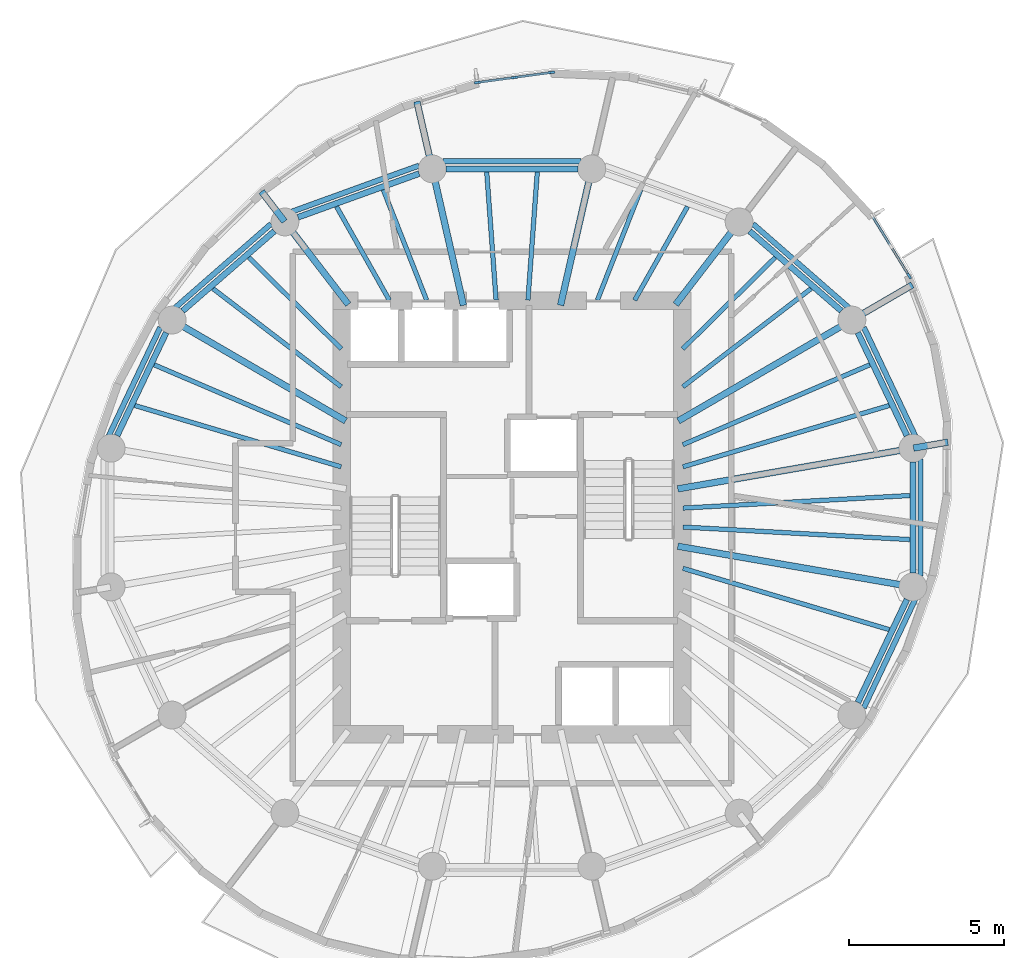
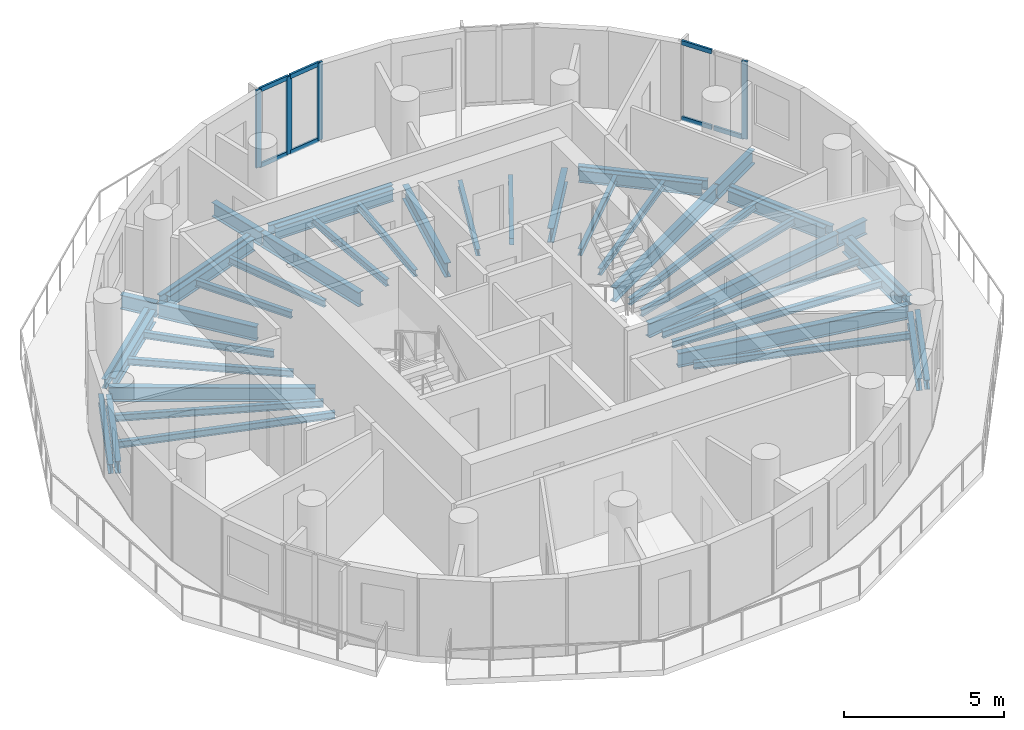
# One storey, part 2 of 10: 45 beams, 11 members, 2 elements without a shape of their own.
"""IFC4 building model written with IfcOpenShell, lengths in metres."""

from ifc_helpers import new_model, si_unit, direction, frame, origin, origin_2d, place, context, subcontext, project, spatial, rectangle, i_section, extrude, material, material_profile, profile_set, type_object, element, aggregate, save


model = new_model("IFC4")

# Units and contexts
model_context = context("Model", 3, precision=1e-05, world=origin(), true_north=direction((0.0, 1.0)))
body_context = subcontext(model_context, "Body", "Model", "MODEL_VIEW")
ifc_project = project(units=[si_unit("LENGTHUNIT", "METRE"), si_unit("AREAUNIT", "SQUARE_METRE"), si_unit("VOLUMEUNIT", "CUBIC_METRE"), si_unit("PLANEANGLEUNIT", "RADIAN"), si_unit("MASSUNIT", "GRAM", prefix="KILO")], contexts=[model_context])

# Site, building, storey
site_placement = place(None, origin())
site = spatial("IfcSite", under=ifc_project, at=site_placement, CompositionType="ELEMENT")
building_placement = place(site_placement, origin())
building = spatial("IfcBuilding", under=site, at=building_placement, Name="Veldorim Arch Residences", CompositionType="ELEMENT")
storey_placement = place(building_placement, frame((0.0, 0.0, 195.0400390625)))
storey = spatial("IfcBuildingStorey", under=building, at=storey_placement, Name="L58", CompositionType="ELEMENT", Elevation=195.0400390625)

# Beams
ifc_material_1 = material(Name="Steel S355", Category="steel")
ifc_material_profile_1 = material_profile(ifc_material_1, i_section(OverallWidth=0.2119140625, OverallDepth=0.54443359375, WebThickness=0.0126953125, FlangeThickness=0.021240234375, at=origin_2d()), Name="UB533x210x122")
ifc_profile_set_1 = profile_set([ifc_material_profile_1], Name="Steel S355")
beam_type_1 = type_object("IfcBeamType", Name="Structural Steel Beam UB533x210x122", PredefinedType="BEAM", material=ifc_profile_set_1)
beam_1_placement = place(storey_placement, frame((37.352294921875, 24.92578125, -0.512451171875), z_axis=(0.985364974081, 0.170457818401, 0.0), x_axis=(-0.170457818401, 0.985364974081, 0.0)))
element("IfcBeam", 1, at=beam_1_placement, inside=storey, type_object=beam_type_1, Name="L58 radial floor girder 01", PredefinedType="BEAM", context=body_context, shape_type="SweptSolid", body=[
    extrude(i_section(OverallWidth=0.2119140625, OverallDepth=0.54443359375, WebThickness=0.0126953125, FlangeThickness=0.021240234375, at=origin_2d()), origin(), (0.0, 0.0, 1.0), 7.68701171875),
])
beam_2_placement = place(storey_placement, frame((44.966064453125, 26.242919921875, -0.512451171875), z_axis=(0.985354711989, 0.170517129816, 0.0), x_axis=(-0.170517129816, 0.985354711989, 0.0)))
element("IfcBeam", 2, at=beam_2_placement, inside=storey, type_object=beam_type_1, Name="L58 radial edge cantilever girder 01", PredefinedType="BEAM", context=body_context, shape_type="SweptSolid", body=[
    extrude(i_section(OverallWidth=0.2119140625, OverallDepth=0.54443359375, WebThickness=0.0126953125, FlangeThickness=0.021240234375, at=origin_2d()), origin(), (0.0, 0.0, 1.0), 1.12548828125),
])
beam_3_placement = place(storey_placement, frame((37.370361328125, 27.12060546875, -0.512451171875), z_axis=(0.864595736304, 0.502468121142, 0.0), x_axis=(-0.502468121142, 0.864595736304, 0.0)))
element("IfcBeam", 3, at=beam_3_placement, inside=storey, type_object=beam_type_1, Name="L58 radial floor girder 02", PredefinedType="BEAM", context=body_context, shape_type="SweptSolid", body=[
    extrude(i_section(OverallWidth=0.2119140625, OverallDepth=0.54443359375, WebThickness=0.0126953125, FlangeThickness=0.021240234375, at=origin_2d()), origin(), (0.0, 0.0, 1.0), 6.462646484375),
])
beam_4_placement = place(storey_placement, frame((42.99267578125, 30.387939453125, -0.512451171875), z_axis=(0.86461626896, 0.502432788988, 0.0), x_axis=(-0.502432788988, 0.86461626896, 0.0)))
element("IfcBeam", 4, at=beam_4_placement, inside=storey, type_object=beam_type_1, Name="L58 radial edge cantilever girder 02", PredefinedType="BEAM", context=body_context, shape_type="SweptSolid", body=[
    extrude(i_section(OverallWidth=0.2119140625, OverallDepth=0.54443359375, WebThickness=0.0126953125, FlangeThickness=0.021240234375, at=origin_2d()), origin(), (0.0, 0.0, 1.0), 2.238525390625),
])
beam_5_placement = place(storey_placement, frame((37.28662109375, 30.881103515625, -0.512451171875), z_axis=(0.609258442308, 0.792971721108, 0.0), x_axis=(-0.792971721108, 0.609258442308, 0.0)))
element("IfcBeam", 5, at=beam_5_placement, inside=storey, type_object=beam_type_1, Name="L58 radial floor girder 03", PredefinedType="BEAM", context=body_context, shape_type="SweptSolid", body=[
    extrude(i_section(OverallWidth=0.2119140625, OverallDepth=0.54443359375, WebThickness=0.0126953125, FlangeThickness=0.021240234375, at=origin_2d()), origin(), (0.0, 0.0, 1.0), 3.339599609375),
])
for number, where, z_axis, x_axis, name in (
    (6, (33.567626953125, 30.853759765625, -0.512451171875), (0.222952976993, 0.97482920045, 0.0), (-0.97482920045, 0.222952976993, 0.0), "L58 radial floor girder 04"),
    (7, (30.432373046875, 30.853759765625, -0.512451171875), (-0.222952976993, 0.97482920045, 0.0), (-0.97482920045, -0.222952976993, 0.0), "L58 radial floor girder 05"),
):
    element("IfcBeam", number, at=place(storey_placement, frame(where, z_axis=z_axis, x_axis=x_axis)), inside=storey, type_object=beam_type_1, Name=name, PredefinedType="BEAM", context=body_context, shape_type="SweptSolid", body=[
        extrude(i_section(OverallWidth=0.2119140625, OverallDepth=0.54443359375, WebThickness=0.0126953125, FlangeThickness=0.021240234375, at=origin_2d()), origin(), (0.0, 0.0, 1.0), 4.49951171875),
    ])
beam_6_placement = place(storey_placement, frame((29.42041015625, 35.27880859375, -0.512451171875), z_axis=(-0.223010839713, 0.974815964872, 0.0), x_axis=(-0.974815964872, -0.223010839713, 0.0)))
element("IfcBeam", 8, at=beam_6_placement, inside=storey, type_object=beam_type_1, Name="L58 radial edge cantilever girder 05", PredefinedType="BEAM", context=body_context, shape_type="SweptSolid", body=[
    extrude(i_section(OverallWidth=0.2119140625, OverallDepth=0.54443359375, WebThickness=0.0126953125, FlangeThickness=0.021240234375, at=origin_2d()), origin(), (0.0, 0.0, 1.0), 2.209228515625),
])
beam_7_placement = place(storey_placement, frame((26.71337890625, 30.881103515625, -0.512451171875), z_axis=(-0.609258442308, 0.792971721108, 0.0), x_axis=(-0.792971721108, -0.609258442308, 0.0)))
element("IfcBeam", 9, at=beam_7_placement, inside=storey, type_object=beam_type_1, Name="L58 radial floor girder 06", PredefinedType="BEAM", context=body_context, shape_type="SweptSolid", body=[
    extrude(i_section(OverallWidth=0.2119140625, OverallDepth=0.54443359375, WebThickness=0.0126953125, FlangeThickness=0.021240234375, at=origin_2d()), origin(), (0.0, 0.0, 1.0), 3.339599609375),
])
beam_8_placement = place(storey_placement, frame((24.654296875, 33.561279296875, -0.512451171875), z_axis=(-0.609217205993, 0.793003402214, 0.0), x_axis=(-0.793003402214, -0.609217205993, 0.0)))
element("IfcBeam", 10, at=beam_8_placement, inside=storey, type_object=beam_type_1, Name="L58 radial edge cantilever girder 06", PredefinedType="BEAM", context=body_context, shape_type="SweptSolid", body=[
    extrude(i_section(OverallWidth=0.2119140625, OverallDepth=0.54443359375, WebThickness=0.0126953125, FlangeThickness=0.021240234375, at=origin_2d()), origin(), (0.0, 0.0, 1.0), 1.219482421875),
])
beam_9_placement = place(storey_placement, frame((26.629638671875, 27.12060546875, -0.512451171875), z_axis=(-0.864595736304, 0.502468121142, 0.0), x_axis=(-0.502468121142, -0.864595736304, 0.0)))
element("IfcBeam", 11, at=beam_9_placement, inside=storey, type_object=beam_type_1, Name="L58 radial floor girder 07", PredefinedType="BEAM", context=body_context, shape_type="SweptSolid", body=[
    extrude(i_section(OverallWidth=0.2119140625, OverallDepth=0.54443359375, WebThickness=0.0126953125, FlangeThickness=0.021240234375, at=origin_2d()), origin(), (0.0, 0.0, 1.0), 6.462646484375),
])
beam_10_placement = place(storey_placement, frame((37.352294921875, 23.07421875, -0.512451171875), z_axis=(0.985364974081, -0.170457818401, 0.0), x_axis=(0.170457818401, 0.985364974081, 0.0)))
element("IfcBeam", 12, at=beam_10_placement, inside=storey, type_object=beam_type_1, Name="L58 radial floor girder 16", PredefinedType="BEAM", context=body_context, shape_type="SweptSolid", body=[
    extrude(i_section(OverallWidth=0.2119140625, OverallDepth=0.54443359375, WebThickness=0.0126953125, FlangeThickness=0.021240234375, at=origin_2d()), origin(), (0.0, 0.0, 1.0), 7.68701171875),
])
ifc_material_2 = material(Name="Steel S355", Category="steel")
ifc_material_profile_2 = material_profile(ifc_material_2, i_section(OverallWidth=0.146484375, OverallDepth=0.256103515625, WebThickness=0.00634765625, FlangeThickness=0.010986328125, at=origin_2d()), Name="UB254x146x37")
ifc_profile_set_2 = profile_set([ifc_material_profile_2], Name="Steel S355")
beam_type_2 = type_object("IfcBeamType", Name="Structural Steel Joist UB254x146x37", PredefinedType="JOIST", material=ifc_profile_set_2)
beam_11_placement = place(storey_placement, frame((37.519287109375, 25.639404296875, -0.367919921875), z_axis=(0.958594432792, 0.284774846889, 0.0), x_axis=(-0.284774846889, 0.958594432792, 0.0)))
element("IfcBeam", 13, at=beam_11_placement, inside=storey, type_object=beam_type_2, Name="L58 secondary radial floor joist 01-1", PredefinedType="JOIST", context=body_context, shape_type="SweptSolid", body=[
    extrude(i_section(OverallWidth=0.146484375, OverallDepth=0.256103515625, WebThickness=0.00634765625, FlangeThickness=0.010986328125, at=origin_2d()), origin(), (0.0, 0.0, 1.0), 6.949462890625),
])
beam_12_placement = place(storey_placement, frame((37.518310546875, 26.355712890625, -0.367919921875), z_axis=(0.919725161652, 0.392562895629, 0.0), x_axis=(-0.392562895629, 0.919725161652, 0.0)))
element("IfcBeam", 14, at=beam_12_placement, inside=storey, type_object=beam_type_2, Name="L58 secondary radial floor joist 01-2", PredefinedType="JOIST", context=body_context, shape_type="SweptSolid", body=[
    extrude(i_section(OverallWidth=0.146484375, OverallDepth=0.256103515625, WebThickness=0.00634765625, FlangeThickness=0.010986328125, at=origin_2d()), origin(), (0.0, 0.0, 1.0), 6.5625),
])
beam_13_placement = place(storey_placement, frame((37.515869140625, 28.222900390625, -0.367919921875), z_axis=(0.794013672216, 0.607899899929, 0.0), x_axis=(-0.607899899929, 0.794013672216, 0.0)))
element("IfcBeam", 15, at=beam_13_placement, inside=storey, type_object=beam_type_2, Name="L58 secondary radial floor joist 02-1", PredefinedType="JOIST", context=body_context, shape_type="SweptSolid", body=[
    extrude(i_section(OverallWidth=0.146484375, OverallDepth=0.256103515625, WebThickness=0.00634765625, FlangeThickness=0.010986328125, at=origin_2d()), origin(), (0.0, 0.0, 1.0), 5.217041015625),
])
beam_14_placement = place(storey_placement, frame((37.51416015625, 29.44775390625, -0.367919921875), z_axis=(0.711396725432, 0.702790650937, 0.0), x_axis=(-0.702790650937, 0.711396725432, 0.0)))
element("IfcBeam", 16, at=beam_14_placement, inside=storey, type_object=beam_type_2, Name="L58 secondary radial floor joist 02-2", PredefinedType="JOIST", context=body_context, shape_type="SweptSolid", body=[
    extrude(i_section(OverallWidth=0.146484375, OverallDepth=0.256103515625, WebThickness=0.00634765625, FlangeThickness=0.010986328125, at=origin_2d()), origin(), (0.0, 0.0, 1.0), 4.198486328125),
])
beam_15_placement = place(storey_placement, frame((35.960205078125, 31.017333984375, -0.367919921875), z_axis=(0.491452469585, 0.870904397818, 0.0), x_axis=(-0.870904397818, 0.491452469585, 0.0)))
element("IfcBeam", 17, at=beam_15_placement, inside=storey, type_object=beam_type_2, Name="L58 secondary radial floor joist 03-1", PredefinedType="JOIST", context=body_context, shape_type="SweptSolid", body=[
    extrude(i_section(OverallWidth=0.146484375, OverallDepth=0.256103515625, WebThickness=0.00634765625, FlangeThickness=0.010986328125, at=origin_2d()), origin(), (0.0, 0.0, 1.0), 3.472412109375),
])
beam_16_placement = place(storey_placement, frame((34.75634765625, 31.0185546875, -0.367919921875), z_axis=(0.365581383042, 0.930779379001, 0.0), x_axis=(-0.930779379001, 0.365581383042, 0.0)))
element("IfcBeam", 18, at=beam_16_placement, inside=storey, type_object=beam_type_2, Name="L58 secondary radial floor joist 03-2", PredefinedType="JOIST", context=body_context, shape_type="SweptSolid", body=[
    extrude(i_section(OverallWidth=0.146484375, OverallDepth=0.256103515625, WebThickness=0.00634765625, FlangeThickness=0.010986328125, at=origin_2d()), origin(), (0.0, 0.0, 1.0), 3.83056640625),
])
for number, where, z_axis, x_axis, name in (
    (19, (32.513916015625, 31.02001953125, -0.367919921875), (0.072985625899, 0.997332992742, 0.0), (-0.997332992742, 0.072985625899, 0.0), "L58 secondary radial floor joist 04-1"),
    (20, (31.486083984375, 31.02001953125, -0.367919921875), (-0.072985625899, 0.997332992742, 0.0), (-0.997332992742, -0.072985625899, 0.0), "L58 secondary radial floor joist 04-2"),
):
    element("IfcBeam", number, at=place(storey_placement, frame(where, z_axis=z_axis, x_axis=x_axis)), inside=storey, type_object=beam_type_2, Name=name, PredefinedType="JOIST", context=body_context, shape_type="SweptSolid", body=[
        extrude(i_section(OverallWidth=0.146484375, OverallDepth=0.256103515625, WebThickness=0.00634765625, FlangeThickness=0.010986328125, at=origin_2d()), origin(), (0.0, 0.0, 1.0), 4.151123046875),
    ])
beam_17_placement = place(storey_placement, frame((29.24365234375, 31.0185546875, -0.367919921875), z_axis=(-0.365581383042, 0.930779379001, 0.0), x_axis=(-0.930779379001, -0.365581383042, 0.0)))
element("IfcBeam", 21, at=beam_17_placement, inside=storey, type_object=beam_type_2, Name="L58 secondary radial floor joist 05-1", PredefinedType="JOIST", context=body_context, shape_type="SweptSolid", body=[
    extrude(i_section(OverallWidth=0.146484375, OverallDepth=0.256103515625, WebThickness=0.00634765625, FlangeThickness=0.010986328125, at=origin_2d()), origin(), (0.0, 0.0, 1.0), 3.83056640625),
])
beam_18_placement = place(storey_placement, frame((28.039794921875, 31.017333984375, -0.367919921875), z_axis=(-0.491452469585, 0.870904397818, 0.0), x_axis=(-0.870904397818, -0.491452469585, 0.0)))
element("IfcBeam", 22, at=beam_18_placement, inside=storey, type_object=beam_type_2, Name="L58 secondary radial floor joist 05-2", PredefinedType="JOIST", context=body_context, shape_type="SweptSolid", body=[
    extrude(i_section(OverallWidth=0.146484375, OverallDepth=0.256103515625, WebThickness=0.00634765625, FlangeThickness=0.010986328125, at=origin_2d()), origin(), (0.0, 0.0, 1.0), 3.472412109375),
])
beam_19_placement = place(storey_placement, frame((26.48583984375, 29.44775390625, -0.367919921875), z_axis=(-0.711396725432, 0.702790650937, 0.0), x_axis=(-0.702790650937, -0.711396725432, 0.0)))
element("IfcBeam", 23, at=beam_19_placement, inside=storey, type_object=beam_type_2, Name="L58 secondary radial floor joist 06-1", PredefinedType="JOIST", context=body_context, shape_type="SweptSolid", body=[
    extrude(i_section(OverallWidth=0.146484375, OverallDepth=0.256103515625, WebThickness=0.00634765625, FlangeThickness=0.010986328125, at=origin_2d()), origin(), (0.0, 0.0, 1.0), 4.198486328125),
])
beam_20_placement = place(storey_placement, frame((26.484130859375, 28.222900390625, -0.367919921875), z_axis=(-0.794013672216, 0.607899899929, 0.0), x_axis=(-0.607899899929, -0.794013672216, 0.0)))
element("IfcBeam", 24, at=beam_20_placement, inside=storey, type_object=beam_type_2, Name="L58 secondary radial floor joist 06-2", PredefinedType="JOIST", context=body_context, shape_type="SweptSolid", body=[
    extrude(i_section(OverallWidth=0.146484375, OverallDepth=0.256103515625, WebThickness=0.00634765625, FlangeThickness=0.010986328125, at=origin_2d()), origin(), (0.0, 0.0, 1.0), 5.217041015625),
])
beam_21_placement = place(storey_placement, frame((26.481689453125, 26.355712890625, -0.367919921875), z_axis=(-0.919725161652, 0.392562895629, 0.0), x_axis=(-0.392562895629, -0.919725161652, 0.0)))
element("IfcBeam", 25, at=beam_21_placement, inside=storey, type_object=beam_type_2, Name="L58 secondary radial floor joist 07-1", PredefinedType="JOIST", context=body_context, shape_type="SweptSolid", body=[
    extrude(i_section(OverallWidth=0.146484375, OverallDepth=0.256103515625, WebThickness=0.00634765625, FlangeThickness=0.010986328125, at=origin_2d()), origin(), (0.0, 0.0, 1.0), 6.5625),
])
for number, where, z_axis, x_axis, name in (
    (26, (26.480712890625, 25.639404296875, -0.367919921875), (-0.958594432792, 0.284774846889, 0.0), (-0.284774846889, -0.958594432792, 0.0), "L58 secondary radial floor joist 07-2"),
    (27, (37.519287109375, 22.360595703125, -0.367919921875), (0.958594432792, -0.284774846889, 0.0), (0.284774846889, 0.958594432792, 0.0), "L58 secondary radial floor joist 15-2"),
):
    element("IfcBeam", number, at=place(storey_placement, frame(where, z_axis=z_axis, x_axis=x_axis)), inside=storey, type_object=beam_type_2, Name=name, PredefinedType="JOIST", context=body_context, shape_type="SweptSolid", body=[
        extrude(i_section(OverallWidth=0.146484375, OverallDepth=0.256103515625, WebThickness=0.00634765625, FlangeThickness=0.010986328125, at=origin_2d()), origin(), (0.0, 0.0, 1.0), 6.949462890625),
    ])
for number, where, z_axis, x_axis, name in (
    (28, (37.52001953125, 23.6943359375, -0.367919921875), (0.998472000884, -0.055259962464, 0.0), (0.055259962464, 0.998472000884, 0.0), "L58 secondary radial floor joist 16-1"),
    (29, (37.52001953125, 24.3056640625, -0.367919921875), (0.998472000884, 0.055259962464, 0.0), (-0.055259962464, 0.998472000884, 0.0), "L58 secondary radial floor joist 16-2"),
):
    element("IfcBeam", number, at=place(storey_placement, frame(where, z_axis=z_axis, x_axis=x_axis)), inside=storey, type_object=beam_type_2, Name=name, PredefinedType="JOIST", context=body_context, shape_type="SweptSolid", body=[
        extrude(i_section(OverallWidth=0.146484375, OverallDepth=0.256103515625, WebThickness=0.00634765625, FlangeThickness=0.010986328125, at=origin_2d()), origin(), (0.0, 0.0, 1.0), 7.33837890625),
    ])
ifc_material_3 = material(Name="Steel S355", Category="steel")
ifc_material_profile_3 = material_profile(ifc_material_3, i_section(OverallWidth=0.172119140625, OverallDepth=0.35791015625, WebThickness=0.008056640625, FlangeThickness=0.012939453125, at=origin_2d()), Name="UB356x171x57")
ifc_profile_set_3 = profile_set([ifc_material_profile_3], Name="Steel S355")
beam_type_3 = type_object("IfcBeamType", Name="Structural Steel Spandrel UB356x171x57", PredefinedType="SPANDREL", material=ifc_profile_set_3)
beam_22_placement = place(storey_placement, frame((45.0205078125, 26.6396484375, -0.43896484375), z_axis=(-0.428408308939, 0.903585259304, 0.0), x_axis=(-0.903585259304, -0.428408308939, 0.0)))
element("IfcBeam", 30, at=beam_22_placement, inside=storey, type_object=beam_type_3, Name="L58 perimeter chord spandrel beam 01", PredefinedType="SPANDREL", context=body_context, shape_type="SweptSolid", body=[
    extrude(i_section(OverallWidth=0.172119140625, OverallDepth=0.35791015625, WebThickness=0.008056640625, FlangeThickness=0.012939453125, at=origin_2d()), origin(), (0.0, 0.0, 1.0), 3.878662109375),
])
beam_23_placement = place(storey_placement, frame((42.891357421875, 30.762939453125, -0.43896484375), z_axis=(-0.752847646119, 0.6581948205, 0.0), x_axis=(-0.6581948205, -0.752847646119, 0.0)))
element("IfcBeam", 31, at=beam_23_placement, inside=storey, type_object=beam_type_3, Name="L58 perimeter chord spandrel beam 02", PredefinedType="SPANDREL", context=body_context, shape_type="SweptSolid", body=[
    extrude(i_section(OverallWidth=0.172119140625, OverallDepth=0.35791015625, WebThickness=0.008056640625, FlangeThickness=0.012939453125, at=origin_2d()), origin(), (0.0, 0.0, 1.0), 4.12939453125),
])
beam_24_placement = place(storey_placement, frame((34.234375, 35.500732421875, -0.43896484375), z_axis=(-1.0, 0.0, 0.0), x_axis=(0.0, -1.0, 0.0)))
element("IfcBeam", 32, at=beam_24_placement, inside=storey, type_object=beam_type_3, Name="L58 perimeter chord spandrel beam 04", PredefinedType="SPANDREL", context=body_context, shape_type="SweptSolid", body=[
    extrude(i_section(OverallWidth=0.172119140625, OverallDepth=0.35791015625, WebThickness=0.008056640625, FlangeThickness=0.012939453125, at=origin_2d()), origin(), (0.0, 0.0, 1.0), 4.46875),
])
beam_25_placement = place(storey_placement, frame((28.997314453125, 35.36572265625, -0.43896484375), z_axis=(-0.940164695555, -0.340720332871, 0.0), x_axis=(0.340720332871, -0.940164695555, 0.0)))
element("IfcBeam", 33, at=beam_25_placement, inside=storey, type_object=beam_type_3, Name="L58 perimeter chord spandrel beam 05", PredefinedType="SPANDREL", context=body_context, shape_type="SweptSolid", body=[
    extrude(i_section(OverallWidth=0.172119140625, OverallDepth=0.35791015625, WebThickness=0.008056640625, FlangeThickness=0.012939453125, at=origin_2d()), origin(), (0.0, 0.0, 1.0), 4.370849609375),
])
beam_26_placement = place(storey_placement, frame((24.217529296875, 33.48095703125, -0.43896484375), z_axis=(-0.752847646119, -0.6581948205, 0.0), x_axis=(0.6581948205, -0.752847646119, 0.0)))
element("IfcBeam", 34, at=beam_26_placement, inside=storey, type_object=beam_type_3, Name="L58 perimeter chord spandrel beam 06", PredefinedType="SPANDREL", context=body_context, shape_type="SweptSolid", body=[
    extrude(i_section(OverallWidth=0.172119140625, OverallDepth=0.35791015625, WebThickness=0.008056640625, FlangeThickness=0.012939453125, at=origin_2d()), origin(), (0.0, 0.0, 1.0), 4.12939453125),
])
for number, where, z_axis, x_axis, name in (
    (35, (20.64111328125, 30.144287109375, -0.43896484375), (-0.428408308939, -0.903585259304, 0.0), (0.903585259304, -0.428408308939, 0.0), "L58 perimeter chord spandrel beam 07"),
    (36, (43.35888671875, 17.855712890625, -0.43896484375), (0.428408308939, 0.903585259304, 0.0), (-0.903585259304, 0.428408308939, 0.0), "L58 perimeter chord spandrel beam 15"),
):
    element("IfcBeam", number, at=place(storey_placement, frame(where, z_axis=z_axis, x_axis=x_axis)), inside=storey, type_object=beam_type_3, Name=name, PredefinedType="SPANDREL", context=body_context, shape_type="SweptSolid", body=[
        extrude(i_section(OverallWidth=0.172119140625, OverallDepth=0.35791015625, WebThickness=0.008056640625, FlangeThickness=0.012939453125, at=origin_2d()), origin(), (0.0, 0.0, 1.0), 3.878662109375),
    ])
beam_27_placement = place(storey_placement, frame((45.190185546875, 22.1142578125, -0.43896484375), z_axis=(0.0, 1.0, 0.0), x_axis=(-1.0, 0.0, 0.0)))
element("IfcBeam", 37, at=beam_27_placement, inside=storey, type_object=beam_type_3, Name="L58 perimeter chord spandrel beam 16", PredefinedType="SPANDREL", context=body_context, shape_type="SweptSolid", body=[
    extrude(i_section(OverallWidth=0.172119140625, OverallDepth=0.35791015625, WebThickness=0.008056640625, FlangeThickness=0.012939453125, at=origin_2d()), origin(), (0.0, 0.0, 1.0), 3.771484375),
])
ifc_material_4 = material(Name="Steel S355", Category="steel")
ifc_material_profile_4 = material_profile(ifc_material_4, i_section(OverallWidth=0.19140625, OverallDepth=0.4599609375, WebThickness=0.010009765625, FlangeThickness=0.01611328125, at=origin_2d()), Name="UB457x191x82")
ifc_profile_set_4 = profile_set([ifc_material_profile_4], Name="Steel S355")
beam_type_4 = type_object("IfcBeamType", Name="Structural Steel Spandrel UB457x191x82", PredefinedType="SPANDREL", material=ifc_profile_set_4)
beam_28_placement = place(storey_placement, frame((44.7529296875, 26.64599609375, -0.469970703125), z_axis=(-0.430005613988, 0.902826213586, 0.0), x_axis=(-0.902826213586, -0.430005613988, 0.0)))
element("IfcBeam", 38, at=beam_28_placement, inside=storey, type_object=beam_type_4, Name="L58 perimeter ring tie beam 01", PredefinedType="SPANDREL", context=body_context, shape_type="SweptSolid", body=[
    extrude(i_section(OverallWidth=0.19140625, OverallDepth=0.4599609375, WebThickness=0.010009765625, FlangeThickness=0.01611328125, at=origin_2d()), origin(), (0.0, 0.0, 1.0), 3.68359375),
])
beam_29_placement = place(storey_placement, frame((42.635986328125, 30.673095703125, -0.469970703125), z_axis=(-0.754545285701, 0.656247980436, 0.0), x_axis=(-0.656247980436, -0.754545285701, 0.0)))
element("IfcBeam", 39, at=beam_29_placement, inside=storey, type_object=beam_type_4, Name="L58 perimeter ring tie beam 02", PredefinedType="SPANDREL", context=body_context, shape_type="SweptSolid", body=[
    extrude(i_section(OverallWidth=0.19140625, OverallDepth=0.4599609375, WebThickness=0.010009765625, FlangeThickness=0.01611328125, at=origin_2d()), origin(), (0.0, 0.0, 1.0), 3.9267578125),
])
beam_30_placement = place(storey_placement, frame((34.125244140625, 35.259521484375, -0.469970703125), z_axis=(-1.0, 0.0, 0.0), x_axis=(0.0, -1.0, 0.0)))
element("IfcBeam", 40, at=beam_30_placement, inside=storey, type_object=beam_type_4, Name="L58 perimeter ring tie beam 04", PredefinedType="SPANDREL", context=body_context, shape_type="SweptSolid", body=[
    extrude(i_section(OverallWidth=0.19140625, OverallDepth=0.4599609375, WebThickness=0.010009765625, FlangeThickness=0.01611328125, at=origin_2d()), origin(), (0.0, 0.0, 1.0), 4.25048828125),
])
beam_31_placement = place(storey_placement, frame((29.00146484375, 35.10693359375, -0.469970703125), z_axis=(-0.940811035395, -0.338931550137, 0.0), x_axis=(0.338931550137, -0.940811035395, 0.0)))
element("IfcBeam", 41, at=beam_31_placement, inside=storey, type_object=beam_type_4, Name="L58 perimeter ring tie beam 05", PredefinedType="SPANDREL", context=body_context, shape_type="SweptSolid", body=[
    extrude(i_section(OverallWidth=0.19140625, OverallDepth=0.4599609375, WebThickness=0.010009765625, FlangeThickness=0.01611328125, at=origin_2d()), origin(), (0.0, 0.0, 1.0), 4.15771484375),
])
beam_32_placement = place(storey_placement, frame((24.326904296875, 33.25, -0.469970703125), z_axis=(-0.754545285701, -0.656247980436, 0.0), x_axis=(0.656247980436, -0.754545285701, 0.0)))
element("IfcBeam", 42, at=beam_32_placement, inside=storey, type_object=beam_type_4, Name="L58 perimeter ring tie beam 06", PredefinedType="SPANDREL", context=body_context, shape_type="SweptSolid", body=[
    extrude(i_section(OverallWidth=0.19140625, OverallDepth=0.4599609375, WebThickness=0.010009765625, FlangeThickness=0.01611328125, at=origin_2d()), origin(), (0.0, 0.0, 1.0), 3.9267578125),
])
for number, where, z_axis, x_axis, name in (
    (43, (20.8310546875, 29.9716796875, -0.469970703125), (-0.430005613988, -0.902826213586, 0.0), (0.902826213586, -0.430005613988, 0.0), "L58 perimeter ring tie beam 07"),
    (44, (43.1689453125, 18.0283203125, -0.469970703125), (0.430005613988, 0.902826213586, 0.0), (-0.902826213586, 0.430005613988, 0.0), "L58 perimeter ring tie beam 15"),
):
    element("IfcBeam", number, at=place(storey_placement, frame(where, z_axis=z_axis, x_axis=x_axis)), inside=storey, type_object=beam_type_4, Name=name, PredefinedType="SPANDREL", context=body_context, shape_type="SweptSolid", body=[
        extrude(i_section(OverallWidth=0.19140625, OverallDepth=0.4599609375, WebThickness=0.010009765625, FlangeThickness=0.01611328125, at=origin_2d()), origin(), (0.0, 0.0, 1.0), 3.68359375),
    ])
beam_33_placement = place(storey_placement, frame((44.9462890625, 22.21044921875, -0.469970703125), z_axis=(0.0, 1.0, 0.0), x_axis=(-1.0, 0.0, 0.0)))
element("IfcBeam", 45, at=beam_33_placement, inside=storey, type_object=beam_type_4, Name="L58 perimeter ring tie beam 16", PredefinedType="SPANDREL", context=body_context, shape_type="SweptSolid", body=[
    extrude(i_section(OverallWidth=0.19140625, OverallDepth=0.4599609375, WebThickness=0.010009765625, FlangeThickness=0.01611328125, at=origin_2d()), origin(), (0.0, 0.0, 1.0), 3.5791015625),
])

# Curtain wall, members
ifc_material_5 = material(Name="Aluminium", Category="aluminium")
curtain_wall_type = type_object("IfcCurtainWallType", Name="Zone 4 High-Altitude Unitised Curtain Wall", PredefinedType="NOTDEFINED", material=ifc_material_5)
curtain_wall_1_placement = place(storey_placement, origin())
curtain_wall_1 = element("IfcCurtainWall", 46, at=curtain_wall_1_placement, inside=storey, type_object=curtain_wall_type, Name="L58 unitised curtain wall bay 05", PredefinedType="NOTDEFINED")
ifc_material_6 = material(Name="Aluminium", Category="aluminium")
ifc_material_profile_5 = material_profile(ifc_material_6, rectangle(XDim=0.074951171875, YDim=0.195068359375, at=origin_2d()), Name="ALU_MUL_75x195")
ifc_profile_set_5 = profile_set([ifc_material_profile_5], Name="Aluminium")
member_type_1 = type_object("IfcMemberType", Name="Zone 4 High-Altitude Unitised Curtain Wall Mullion 75x195", PredefinedType="MULLION", material=ifc_profile_set_5)
member_1_placement = place(storey_placement, frame((30.878173828125, 38.0478515625, 0.0), z_axis=(0.0, 0.0, 1.0), x_axis=(-0.134244609331, 0.990948225119, 0.0)))
member_1 = element("IfcMember", 47, at=member_1_placement, type_object=member_type_1, Name="CW-Z4 mullion 1", PredefinedType="MULLION", context=body_context, shape_type="SweptSolid", body=[
    extrude(rectangle(XDim=0.074951171875, YDim=0.195068359375, at=origin_2d()), origin(), (0.0, 0.0, 1.0), 2.9599609375),
])
member_2_placement = place(storey_placement, frame((32.08056640625, 38.2109375, 0.0), z_axis=(0.0, 0.0, 1.0), x_axis=(-0.134244609331, 0.990948225119, 0.0)))
member_2 = element("IfcMember", 48, at=member_2_placement, type_object=member_type_1, Name="CW-Z4 mullion 2", PredefinedType="MULLION", context=body_context, shape_type="SweptSolid", body=[
    extrude(rectangle(XDim=0.074951171875, YDim=0.195068359375, at=origin_2d()), origin(), (0.0, 0.0, 1.0), 2.9599609375),
])
member_3_placement = place(storey_placement, frame((33.283203125, 38.373779296875, 0.0), z_axis=(0.0, 0.0, 1.0), x_axis=(-0.134244609331, 0.990948225119, 0.0)))
member_3 = element("IfcMember", 49, at=member_3_placement, type_object=member_type_1, Name="CW-Z4 mullion 3", PredefinedType="MULLION", context=body_context, shape_type="SweptSolid", body=[
    extrude(rectangle(XDim=0.074951171875, YDim=0.195068359375, at=origin_2d()), origin(), (0.0, 0.0, 1.0), 2.9599609375),
])

# Curtain wall, member
curtain_wall_2_placement = place(storey_placement, origin())
curtain_wall_2 = element("IfcCurtainWall", 50, at=curtain_wall_2_placement, inside=storey, type_object=curtain_wall_type, Name="L58 unitised curtain wall bay 35", PredefinedType="NOTDEFINED")
member_4_placement = place(storey_placement, frame((44.824951171875, 31.7978515625, 0.0), z_axis=(0.0, 0.0, 1.0), x_axis=(0.851801663929, 0.523864415023, 0.0)))
member_4 = element("IfcMember", 51, at=member_4_placement, type_object=member_type_1, Name="CW-Z4 mullion 3", PredefinedType="MULLION", context=body_context, shape_type="SweptSolid", body=[
    extrude(rectangle(XDim=0.074951171875, YDim=0.195068359375, at=origin_2d()), origin(), (0.0, 0.0, 1.0), 2.9599609375),
])

# Member
ifc_material_7 = material(Name="Aluminium", Category="aluminium")
ifc_material_profile_6 = material_profile(ifc_material_7, rectangle(XDim=0.074951171875, YDim=0.1650390625, at=origin_2d()), Name="ALU_TRN_75x165")
ifc_profile_set_6 = profile_set([ifc_material_profile_6], Name="Aluminium")
member_type_2 = type_object("IfcMemberType", Name="Zone 4 High-Altitude Unitised Curtain Wall Transom 75x165", PredefinedType="USERDEFINED", material=ifc_profile_set_6)
member_5_placement = place(storey_placement, frame((30.915283203125, 38.052978515625, 0.037353515625), z_axis=(0.99094853461, 0.134242324749, 0.0), x_axis=(-0.134242324749, 0.99094853461, 0.0)))
member_5 = element("IfcMember", 52, at=member_5_placement, type_object=member_type_2, Name="CW-Z4 transom 1.1", ObjectType="TRANSOM", PredefinedType="USERDEFINED", context=body_context, shape_type="SweptSolid", body=[
    extrude(rectangle(XDim=0.074951171875, YDim=0.1650390625, at=origin_2d()), origin(), (0.0, 0.0, 1.0), 1.138427734375),
])

member_6_placement = place(storey_placement, frame((30.915283203125, 38.052978515625, 2.92236328125), z_axis=(0.99094853461, 0.134242324749, 0.0), x_axis=(-0.134242324749, 0.99094853461, 0.0)))
member_6 = element("IfcMember", 53, at=member_6_placement, type_object=member_type_2, Name="CW-Z4 transom 1.2", ObjectType="TRANSOM", PredefinedType="USERDEFINED", context=body_context, shape_type="SweptSolid", body=[
    extrude(rectangle(XDim=0.074951171875, YDim=0.1650390625, at=origin_2d()), origin(), (0.0, 0.0, 1.0), 1.138427734375),
])

member_7_placement = place(storey_placement, frame((32.117919921875, 38.2158203125, 0.037353515625), z_axis=(0.99094853461, 0.134242324749, 0.0), x_axis=(-0.134242324749, 0.99094853461, 0.0)))
member_7 = element("IfcMember", 54, at=member_7_placement, type_object=member_type_2, Name="CW-Z4 transom 2.1", ObjectType="TRANSOM", PredefinedType="USERDEFINED", context=body_context, shape_type="SweptSolid", body=[
    extrude(rectangle(XDim=0.074951171875, YDim=0.1650390625, at=origin_2d()), origin(), (0.0, 0.0, 1.0), 1.138427734375),
])

member_8_placement = place(storey_placement, frame((32.117919921875, 38.2158203125, 2.92236328125), z_axis=(0.99094853461, 0.134242324749, 0.0), x_axis=(-0.134242324749, 0.99094853461, 0.0)))
member_8 = element("IfcMember", 55, at=member_8_placement, type_object=member_type_2, Name="CW-Z4 transom 2.2", ObjectType="TRANSOM", PredefinedType="USERDEFINED", context=body_context, shape_type="SweptSolid", body=[
    extrude(rectangle(XDim=0.074951171875, YDim=0.1650390625, at=origin_2d()), origin(), (0.0, 0.0, 1.0), 1.138427734375),
])

aggregate(curtain_wall_1, [member_1, member_2, member_3, member_5, member_6, member_7, member_8])

member_9_placement = place(storey_placement, frame((43.654541015625, 33.700927734375, 0.037353515625), z_axis=(0.523840572691, -0.851816326682, 0.0), x_axis=(0.851816326682, 0.523840572691, 0.0)))
member_9 = element("IfcMember", 56, at=member_9_placement, type_object=member_type_2, Name="CW-Z4 transom 1.1", ObjectType="TRANSOM", PredefinedType="USERDEFINED", context=body_context, shape_type="SweptSolid", body=[
    extrude(rectangle(XDim=0.074951171875, YDim=0.1650390625, at=origin_2d()), origin(), (0.0, 0.0, 1.0), 1.060791015625),
])

member_10_placement = place(storey_placement, frame((43.654541015625, 33.700927734375, 2.92236328125), z_axis=(0.523840572691, -0.851816326682, 0.0), x_axis=(0.851816326682, 0.523840572691, 0.0)))
member_10 = element("IfcMember", 57, at=member_10_placement, type_object=member_type_2, Name="CW-Z4 transom 1.2", ObjectType="TRANSOM", PredefinedType="USERDEFINED", context=body_context, shape_type="SweptSolid", body=[
    extrude(rectangle(XDim=0.074951171875, YDim=0.1650390625, at=origin_2d()), origin(), (0.0, 0.0, 1.0), 1.060791015625),
])

member_11_placement = place(storey_placement, frame((44.24951171875, 32.7333984375, 0.037353515625), z_axis=(0.524007543384, -0.851713622338, 0.0), x_axis=(0.851713622338, 0.524007543384, 0.0)))
member_11 = element("IfcMember", 58, at=member_11_placement, type_object=member_type_2, Name="CW-Z4 transom 2.1", ObjectType="TRANSOM", PredefinedType="USERDEFINED", context=body_context, shape_type="SweptSolid", body=[
    extrude(rectangle(XDim=0.074951171875, YDim=0.1650390625, at=origin_2d()), origin(), (0.0, 0.0, 1.0), 1.060791015625),
])

aggregate(curtain_wall_2, [member_4, member_9, member_10, member_11])

save(model, "model.ifc")
